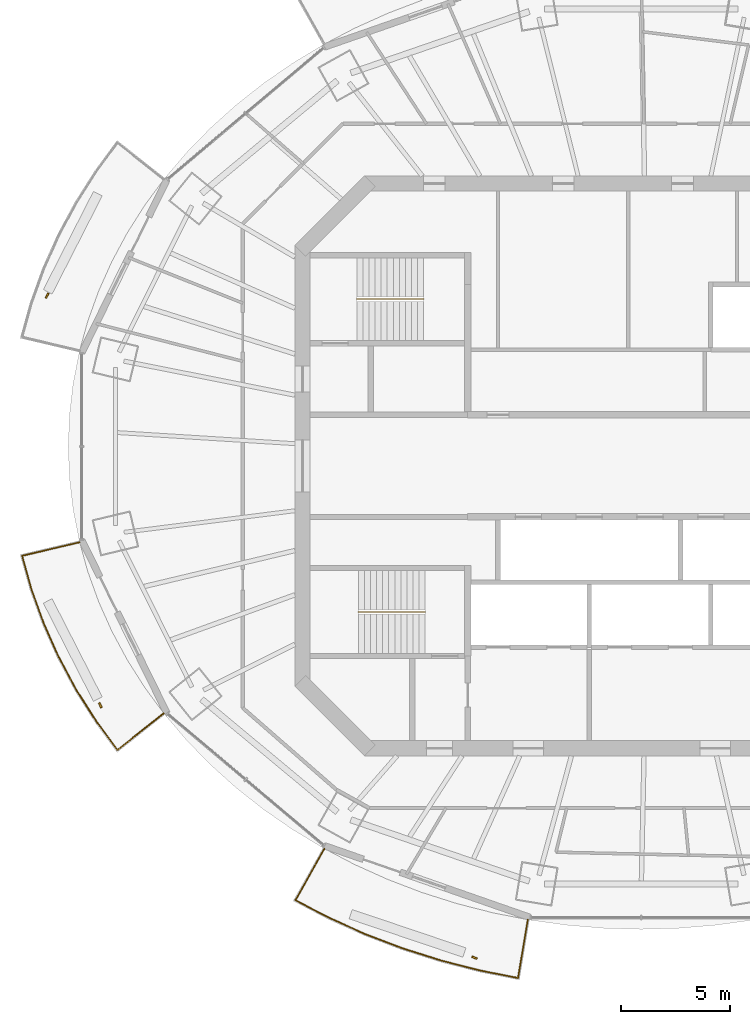
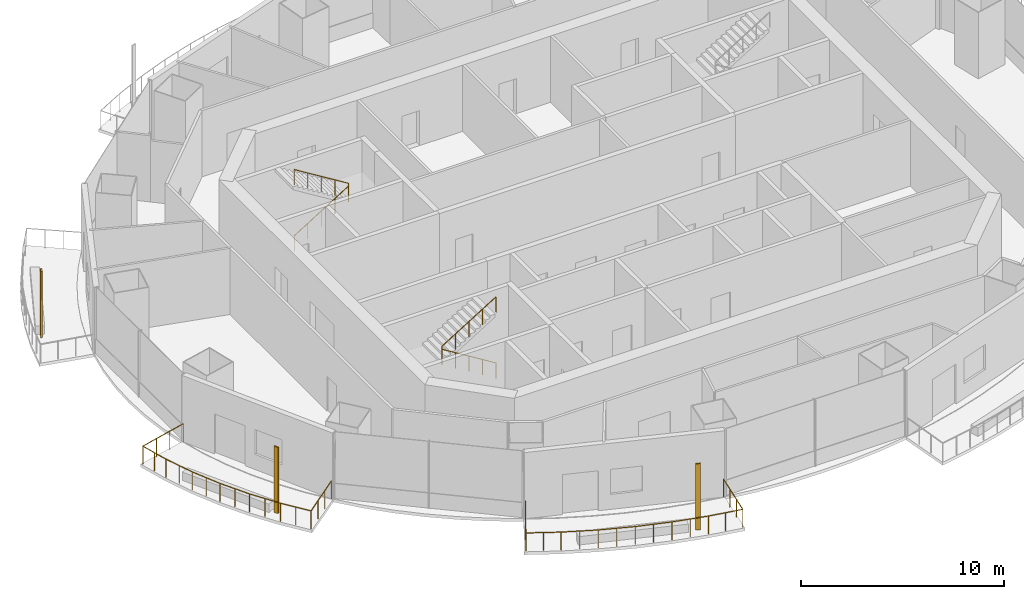
# One storey, part 12 of 16: 4 railings, 3 shading devices.
"""IFC4 building model written with IfcOpenShell, lengths in metres."""

from ifc_helpers import new_model, si_unit, direction, frame, origin, origin_2d, place, context, subcontext, project, spatial, rectangle, circle, extrude, material, material_profile, profile_set, type_object, element, save


model = new_model("IFC4")

# Units and contexts
model_context = context("Model", 3, precision=1e-05, world=origin(), true_north=direction((0.0, 1.0)))
body_context = subcontext(model_context, "Body", "Model", "MODEL_VIEW")
ifc_project = project(units=[si_unit("LENGTHUNIT", "METRE"), si_unit("AREAUNIT", "SQUARE_METRE"), si_unit("VOLUMEUNIT", "CUBIC_METRE"), si_unit("PLANEANGLEUNIT", "RADIAN"), si_unit("MASSUNIT", "GRAM", prefix="KILO")], contexts=[model_context])

# Site, building, storey
site_placement = place(None, origin())
site = spatial("IfcSite", under=ifc_project, at=site_placement, CompositionType="ELEMENT")
building_placement = place(site_placement, origin())
building = spatial("IfcBuilding", under=site, at=building_placement, Name="Marenthal Gate Tower", CompositionType="ELEMENT")
storey_placement = place(building_placement, frame((0.0, 0.0, 363.35009765625)))
storey = spatial("IfcBuildingStorey", under=building, at=storey_placement, Name="L82", CompositionType="ELEMENT", Elevation=363.35009765625)

# Railings
ifc_material_1 = material(Name="Stainless steel", Category="steel")
railing_type_1 = type_object("IfcRailingType", Name="Balcony guard 1100", PredefinedType="GUARDRAIL", material=ifc_material_1)
railing_1_placement = place(storey_placement, frame((-22.387939453125, -11.38818359375, 0.0)))
element("IfcRailing", 1, at=railing_1_placement, inside=storey, type_object=railing_type_1, Name="Balcony guard L82 bay 9", PredefinedType="GUARDRAIL", context=body_context, shape_type="SweptSolid", body=[
    extrude(circle(Radius=0.02392578125, at=origin_2d()), frame((0.0, 0.0, 1.076171875), z_axis=(-0.783769769253, -0.620877048402, -0.014718681113), x_axis=(0.6209443126, -0.783854680824, 0.0)), (0.0, 0.0, 1.0), 2.72021484375),
    extrude(circle(Radius=0.02392578125, at=origin_2d()), frame((-2.132080078125, -1.68896484375, 1.0361328125), z_axis=(-0.59246977966, 0.805592676351, 0.0), x_axis=(-0.805592676351, -0.59246977966, 0.0)), (0.0, 0.0, 1.0), 1.64501953125),
    extrude(circle(Radius=0.02392578125, at=origin_2d()), frame((-3.106689453125, -0.36376953125, 1.0361328125), z_axis=(-0.535611442073, 0.844464554093, 0.0), x_axis=(-0.844464554093, -0.535611442073, 0.0)), (0.0, 0.0, 1.0), 1.712890625),
    extrude(circle(Radius=0.02392578125, at=origin_2d()), frame((-4.024169921875, 1.082763671875, 1.0361328125), z_axis=(-0.473526582877, 0.880779527072, 0.0), x_axis=(-0.880779527072, -0.473526582877, 0.0)), (0.0, 0.0, 1.0), 1.701904296875),
    extrude(circle(Radius=0.02392578125, at=origin_2d()), frame((-4.830078125, 2.581787109375, 1.0361328125), z_axis=(-0.407891440558, 0.913030433622, 0.0), x_axis=(-0.913030433622, -0.407891440558, 0.0)), (0.0, 0.0, 1.0), 1.692138671875),
    extrude(circle(Radius=0.02392578125, at=origin_2d()), frame((-5.520263671875, 4.126708984375, 1.0361328125), z_axis=(-0.338585961957, 0.940935463443, 0.0), x_axis=(-0.940935463443, -0.338585961957, 0.0)), (0.0, 0.0, 1.0), 1.68359375),
    extrude(circle(Radius=0.02392578125, at=origin_2d()), frame((-6.09033203125, 5.7109375, 1.0361328125), z_axis=(-0.268495452575, 0.96328095172, 0.0), x_axis=(-0.96328095172, -0.268495452575, 0.0)), (0.0, 0.0, 1.0), 1.5966796875),
    extrude(circle(Radius=0.02392578125, at=origin_2d()), frame((-6.51904296875, 7.2490234375, 1.0361328125), z_axis=(0.973202156383, 0.229479704341, 0.014718291557), x_axis=(-0.229504564257, 0.973307584983, 0.0)), (0.0, 0.0, 1.0), 2.720458984375),
    extrude(circle(Radius=0.02099609375, at=origin_2d()), origin(), (0.0, 0.0, 1.0), 1.052001953125),
    extrude(circle(Radius=0.02099609375, at=origin_2d()), frame((-0.710693359375, -0.56298828125, -0.013427734375)), (0.0, 0.0, 1.0), 1.052001953125),
    extrude(circle(Radius=0.02099609375, at=origin_2d()), frame((-1.42138671875, -1.1259765625, -0.026611328125)), (0.0, 0.0, 1.0), 1.052001953125),
    extrude(circle(Radius=0.02099609375, at=origin_2d()), frame((-2.132080078125, -1.68896484375, -0.0400390625)), (0.0, 0.0, 1.0), 1.052001953125),
    extrude(circle(Radius=0.02099609375, at=origin_2d()), frame((-2.619384765625, -1.0263671875, -0.0400390625)), (0.0, 0.0, 1.0), 1.052001953125),
    extrude(circle(Radius=0.02099609375, at=origin_2d()), frame((-3.106689453125, -0.36376953125, -0.0400390625)), (0.0, 0.0, 1.0), 1.052001953125),
    extrude(circle(Radius=0.02099609375, at=origin_2d()), frame((-3.5654296875, 0.359375, -0.0400390625)), (0.0, 0.0, 1.0), 1.052001953125),
    extrude(circle(Radius=0.02099609375, at=origin_2d()), frame((-4.024169921875, 1.082763671875, -0.0400390625)), (0.0, 0.0, 1.0), 1.052001953125),
    extrude(circle(Radius=0.02099609375, at=origin_2d()), frame((-4.42724609375, 1.832275390625, -0.0400390625)), (0.0, 0.0, 1.0), 1.052001953125),
    extrude(circle(Radius=0.02099609375, at=origin_2d()), frame((-4.830078125, 2.581787109375, -0.0400390625)), (0.0, 0.0, 1.0), 1.052001953125),
    extrude(circle(Radius=0.02099609375, at=origin_2d()), frame((-5.17529296875, 3.354248046875, -0.0400390625)), (0.0, 0.0, 1.0), 1.052001953125),
    extrude(circle(Radius=0.02099609375, at=origin_2d()), frame((-5.520263671875, 4.126708984375, -0.0400390625)), (0.0, 0.0, 1.0), 1.052001953125),
    extrude(circle(Radius=0.02099609375, at=origin_2d()), frame((-5.80517578125, 4.9189453125, -0.0400390625)), (0.0, 0.0, 1.0), 1.052001953125),
    extrude(circle(Radius=0.02099609375, at=origin_2d()), frame((-6.09033203125, 5.7109375, -0.0400390625)), (0.0, 0.0, 1.0), 1.052001953125),
    extrude(circle(Radius=0.02099609375, at=origin_2d()), frame((-6.3046875, 6.47998046875, -0.0400390625)), (0.0, 0.0, 1.0), 1.052001953125),
    extrude(circle(Radius=0.02099609375, at=origin_2d()), frame((-6.51904296875, 7.2490234375, -0.0400390625)), (0.0, 0.0, 1.0), 1.052001953125),
    extrude(circle(Radius=0.02099609375, at=origin_2d()), frame((-5.636474609375, 7.45703125, -0.026611328125)), (0.0, 0.0, 1.0), 1.052001953125),
    extrude(circle(Radius=0.02099609375, at=origin_2d()), frame((-4.754150390625, 7.665283203125, -0.013427734375)), (0.0, 0.0, 1.0), 1.052001953125),
    extrude(circle(Radius=0.02099609375, at=origin_2d()), frame((-3.87158203125, 7.873291015625, 0.0)), (0.0, 0.0, 1.0), 1.052001953125),
])
railing_2_placement = place(storey_placement, frame((-5.62646484375, -20.890625, 0.0)))
element("IfcRailing", 2, at=railing_2_placement, inside=storey, type_object=railing_type_1, Name="Balcony guard L82 bay 11", PredefinedType="GUARDRAIL", context=body_context, shape_type="SweptSolid", body=[
    extrude(circle(Radius=0.02392578125, at=origin_2d()), frame((0.0, 0.0, 1.076171875), z_axis=(-0.165414456926, -0.986114290962, -0.01471946334), x_axis=(0.986221135368, -0.165432379401, 0.0)), (0.0, 0.0, 1.0), 2.72021484375),
    extrude(circle(Radius=0.02392578125, at=origin_2d()), frame((-0.449951171875, -2.682373046875, 1.0361328125), z_axis=(-0.981004256117, 0.193986209508, 0.0), x_axis=(-0.193986209508, -0.981004256117, 0.0)), (0.0, 0.0, 1.0), 1.785888671875),
    extrude(circle(Radius=0.02392578125, at=origin_2d()), frame((-2.201904296875, -2.3359375, 1.0361328125), z_axis=(-0.968854736133, 0.247629764514, 0.0), x_axis=(-0.247629764514, -0.968854736133, 0.0)), (0.0, 0.0, 1.0), 1.859375),
    extrude(circle(Radius=0.02392578125, at=origin_2d()), frame((-4.00341796875, -1.87548828125, 1.0361328125), z_axis=(-0.953199116145, 0.302343256879, 0.0), x_axis=(-0.302343256879, -0.953199116145, 0.0)), (0.0, 0.0, 1.0), 1.850830078125),
    extrude(circle(Radius=0.02392578125, at=origin_2d()), frame((-5.767578125, -1.31591796875, 1.0361328125), z_axis=(-0.934231239104, 0.35666790139, 0.0), x_axis=(-0.35666790139, -0.934231239104, 0.0)), (0.0, 0.0, 1.0), 1.84130859375),
    extrude(circle(Radius=0.02392578125, at=origin_2d()), frame((-7.48779296875, -0.6591796875, 1.0361328125), z_axis=(-0.911781695063, 0.410675225146, 0.0), x_axis=(-0.410675225146, -0.911781695063, 0.0)), (0.0, 0.0, 1.0), 1.830322265625),
    extrude(circle(Radius=0.02392578125, at=origin_2d()), frame((-9.15673828125, 0.092529296875, 1.0361328125), z_axis=(-0.886397005833, 0.462925855889, 0.0), x_axis=(-0.462925855889, -0.886397005833, 0.0)), (0.0, 0.0, 1.0), 1.73876953125),
    extrude(circle(Radius=0.02392578125, at=origin_2d()), frame((-10.697998046875, 0.8974609375, 1.0361328125), z_axis=(0.490915294113, 0.871082969774, 0.014718484138), x_axis=(-0.871177338103, 0.490968477171, 0.0)), (0.0, 0.0, 1.0), 2.72021484375),
    extrude(circle(Radius=0.02099609375, at=origin_2d()), origin(), (0.0, 0.0, 1.0), 1.052001953125),
    extrude(circle(Radius=0.02099609375, at=origin_2d()), frame((-0.14990234375, -0.89404296875, -0.013427734375)), (0.0, 0.0, 1.0), 1.052001953125),
    extrude(circle(Radius=0.02099609375, at=origin_2d()), frame((-0.300048828125, -1.788330078125, -0.026611328125)), (0.0, 0.0, 1.0), 1.052001953125),
    extrude(circle(Radius=0.02099609375, at=origin_2d()), frame((-0.449951171875, -2.682373046875, -0.0400390625)), (0.0, 0.0, 1.0), 1.052001953125),
    extrude(circle(Radius=0.02099609375, at=origin_2d()), frame((-1.325927734375, -2.50927734375, -0.0400390625)), (0.0, 0.0, 1.0), 1.052001953125),
    extrude(circle(Radius=0.02099609375, at=origin_2d()), frame((-2.201904296875, -2.3359375, -0.0400390625)), (0.0, 0.0, 1.0), 1.052001953125),
    extrude(circle(Radius=0.02099609375, at=origin_2d()), frame((-3.1025390625, -2.105712890625, -0.0400390625)), (0.0, 0.0, 1.0), 1.052001953125),
    extrude(circle(Radius=0.02099609375, at=origin_2d()), frame((-4.00341796875, -1.87548828125, -0.0400390625)), (0.0, 0.0, 1.0), 1.052001953125),
    extrude(circle(Radius=0.02099609375, at=origin_2d()), frame((-4.885498046875, -1.595703125, -0.0400390625)), (0.0, 0.0, 1.0), 1.052001953125),
    extrude(circle(Radius=0.02099609375, at=origin_2d()), frame((-5.767578125, -1.31591796875, -0.0400390625)), (0.0, 0.0, 1.0), 1.052001953125),
    extrude(circle(Radius=0.02099609375, at=origin_2d()), frame((-6.627685546875, -0.987548828125, -0.0400390625)), (0.0, 0.0, 1.0), 1.052001953125),
    extrude(circle(Radius=0.02099609375, at=origin_2d()), frame((-7.48779296875, -0.6591796875, -0.0400390625)), (0.0, 0.0, 1.0), 1.052001953125),
    extrude(circle(Radius=0.02099609375, at=origin_2d()), frame((-8.322265625, -0.283203125, -0.0400390625)), (0.0, 0.0, 1.0), 1.052001953125),
    extrude(circle(Radius=0.02099609375, at=origin_2d()), frame((-9.15673828125, 0.092529296875, -0.0400390625)), (0.0, 0.0, 1.0), 1.052001953125),
    extrude(circle(Radius=0.02099609375, at=origin_2d()), frame((-9.92724609375, 0.4951171875, -0.0400390625)), (0.0, 0.0, 1.0), 1.052001953125),
    extrude(circle(Radius=0.02099609375, at=origin_2d()), frame((-10.697998046875, 0.8974609375, -0.0400390625)), (0.0, 0.0, 1.0), 1.052001953125),
    extrude(circle(Radius=0.02099609375, at=origin_2d()), frame((-10.2529296875, 1.687255859375, -0.026611328125)), (0.0, 0.0, 1.0), 1.052001953125),
    extrude(circle(Radius=0.02099609375, at=origin_2d()), frame((-9.8076171875, 2.477294921875, -0.013427734375)), (0.0, 0.0, 1.0), 1.052001953125),
    extrude(circle(Radius=0.02099609375, at=origin_2d()), frame((-9.362548828125, 3.26708984375, 0.0)), (0.0, 0.0, 1.0), 1.052001953125),
])
ifc_material_2 = material(Name="Stainless steel", Category="steel")
railing_type_2 = type_object("IfcRailingType", Name="Stair handrail", PredefinedType="HANDRAIL", material=ifc_material_2)
railing_3_placement = place(storey_placement, frame((-13.5, 7.675048828125, 0.1728515625)))
element("IfcRailing", 3, at=railing_3_placement, inside=storey, type_object=railing_type_2, Name="Handrail ST1", PredefinedType="HANDRAIL", context=body_context, shape_type="SweptSolid", body=[
    extrude(circle(Radius=0.0224609375, at=origin_2d()), frame((0.0, 0.0, 0.927490234375), z_axis=(0.850835241893, 0.0, 0.525432575268), x_axis=(0.0, 1.0, 0.0)), (0.0, 0.0, 1.0), 3.6201171875),
    extrude(circle(Radius=0.0224609375, at=origin_2d()), frame((3.080078125, 0.0, 2.82958984375), z_axis=(0.0, 0.0, 1.0), x_axis=(1.0, 0.0, 0.0)), (0.0, 0.0, 1.0), 0.1728515625),
    extrude(circle(Radius=0.0224609375, at=origin_2d()), frame((3.080078125, 0.0, 3.00244140625), z_axis=(-0.850835241893, 0.0, 0.525432575268), x_axis=(0.0, -1.0, 0.0)), (0.0, 0.0, 1.0), 3.6201171875),
    extrude(circle(Radius=0.02001953125, at=origin_2d()), origin(), (0.0, 0.0, 1.0), 0.905029296875),
    extrude(circle(Radius=0.02001953125, at=origin_2d()), frame((0.77001953125, 0.0, 0.4755859375)), (0.0, 0.0, 1.0), 0.905029296875),
    extrude(circle(Radius=0.02001953125, at=origin_2d()), frame((1.5400390625, 0.0, 0.951171875)), (0.0, 0.0, 1.0), 0.905029296875),
    extrude(circle(Radius=0.02001953125, at=origin_2d()), frame((2.31005859375, 0.0, 1.426513671875)), (0.0, 0.0, 1.0), 0.905029296875),
    extrude(circle(Radius=0.02001953125, at=origin_2d()), frame((3.080078125, 0.0, 1.902099609375)), (0.0, 0.0, 1.0), 0.905029296875),
    extrude(circle(Radius=0.02001953125, at=origin_2d()), frame((3.080078125, 0.0, 2.074951171875)), (0.0, 0.0, 1.0), 0.905029296875),
    extrude(circle(Radius=0.02001953125, at=origin_2d()), frame((2.31005859375, 0.0, 2.550537109375)), (0.0, 0.0, 1.0), 0.905029296875),
    extrude(circle(Radius=0.02001953125, at=origin_2d()), frame((1.5400390625, 0.0, 3.02587890625)), (0.0, 0.0, 1.0), 0.905029296875),
    extrude(circle(Radius=0.02001953125, at=origin_2d()), frame((0.77001953125, 0.0, 3.50146484375)), (0.0, 0.0, 1.0), 0.905029296875),
    extrude(circle(Radius=0.02001953125, at=origin_2d()), frame((0.0, 0.0, 3.97705078125)), (0.0, 0.0, 1.0), 0.905029296875),
])
railing_4_placement = place(storey_placement, frame((-10.35009765625, -6.72509765625, 0.1728515625)))
element("IfcRailing", 4, at=railing_4_placement, inside=storey, type_object=railing_type_2, Name="Handrail ST2", PredefinedType="HANDRAIL", context=body_context, shape_type="SweptSolid", body=[
    extrude(circle(Radius=0.0224609375, at=origin_2d()), frame((0.0, 0.0, 0.927490234375), z_axis=(-0.850816621229, 0.0, 0.525462726595), x_axis=(0.0, -1.0, 0.0)), (0.0, 0.0, 1.0), 3.619873046875),
    extrude(circle(Radius=0.0224609375, at=origin_2d()), frame((-3.079833984375, 0.0, 2.82958984375), z_axis=(0.0, 0.0, 1.0), x_axis=(1.0, 0.0, 0.0)), (0.0, 0.0, 1.0), 0.1728515625),
    extrude(circle(Radius=0.0224609375, at=origin_2d()), frame((-3.079833984375, 0.0, 3.00244140625), z_axis=(0.850816621229, 0.0, 0.525462726595), x_axis=(0.0, 1.0, 0.0)), (0.0, 0.0, 1.0), 3.619873046875),
    extrude(circle(Radius=0.02001953125, at=origin_2d()), origin(), (0.0, 0.0, 1.0), 0.905029296875),
    extrude(circle(Radius=0.02001953125, at=origin_2d()), frame((-0.77001953125, 0.0, 0.4755859375)), (0.0, 0.0, 1.0), 0.905029296875),
    extrude(circle(Radius=0.02001953125, at=origin_2d()), frame((-1.5400390625, 0.0, 0.951171875)), (0.0, 0.0, 1.0), 0.905029296875),
    extrude(circle(Radius=0.02001953125, at=origin_2d()), frame((-2.309814453125, 0.0, 1.426513671875)), (0.0, 0.0, 1.0), 0.905029296875),
    extrude(circle(Radius=0.02001953125, at=origin_2d()), frame((-3.079833984375, 0.0, 1.902099609375)), (0.0, 0.0, 1.0), 0.905029296875),
    extrude(circle(Radius=0.02001953125, at=origin_2d()), frame((-3.079833984375, 0.0, 2.074951171875)), (0.0, 0.0, 1.0), 0.905029296875),
    extrude(circle(Radius=0.02001953125, at=origin_2d()), frame((-2.309814453125, 0.0, 2.550537109375)), (0.0, 0.0, 1.0), 0.905029296875),
    extrude(circle(Radius=0.02001953125, at=origin_2d()), frame((-1.5400390625, 0.0, 3.02587890625)), (0.0, 0.0, 1.0), 0.905029296875),
    extrude(circle(Radius=0.02001953125, at=origin_2d()), frame((-0.77001953125, 0.0, 3.50146484375)), (0.0, 0.0, 1.0), 0.905029296875),
    extrude(circle(Radius=0.02001953125, at=origin_2d()), frame((0.0, 0.0, 3.97705078125)), (0.0, 0.0, 1.0), 0.905029296875),
])

# Shading devices
ifc_material_3 = material(Name="Terracotta", Category="masonry")
ifc_material_profile = material_profile(ifc_material_3, rectangle(XDim=0.25, YDim=0.080078125, at=origin_2d()), Name="Terracotta baguette 250x80")
ifc_profile_set = profile_set([ifc_material_profile], Name="Terracotta")
shading_device_type = type_object("IfcShadingDeviceType", Name="Terracotta BAGUETTE SCREEN 250x80", PredefinedType="USERDEFINED", material=ifc_profile_set)
for number, where, z_axis, x_axis, name in (
    (5, (-27.753662109375, 7.840576171875, -0.0400390625), (0.0, 0.0, 1.0), (-0.441063469926, -0.897475913603, 0.0), "Terracotta BAGUETTE L82 bay 7R"),
    (6, (-25.306640625, -11.02001953125, -0.0400390625), (0.0, 0.0, 1.0), (0.441063469926, -0.897475913603, 0.0), "Terracotta BAGUETTE L82 bay 9R"),
    (7, (-8.08203125, -22.63720703125, -0.0400390625), (0.0, 0.0, 1.0), (0.944118156364, -0.329607200807, 0.0), "Terracotta BAGUETTE L82 bay 11R"),
):
    element("IfcShadingDevice", number, at=place(storey_placement, frame(where, z_axis=z_axis, x_axis=x_axis)), inside=storey, type_object=shading_device_type, Name=name, ObjectType="BAGUETTE SCREEN", PredefinedType="USERDEFINED", context=body_context, shape_type="SweptSolid", body=[
        extrude(rectangle(XDim=0.25, YDim=0.080078125, at=origin_2d()), origin(), (0.0, 0.0, 1.0), 3.969970703125),
    ])

save(model, "model.ifc")
